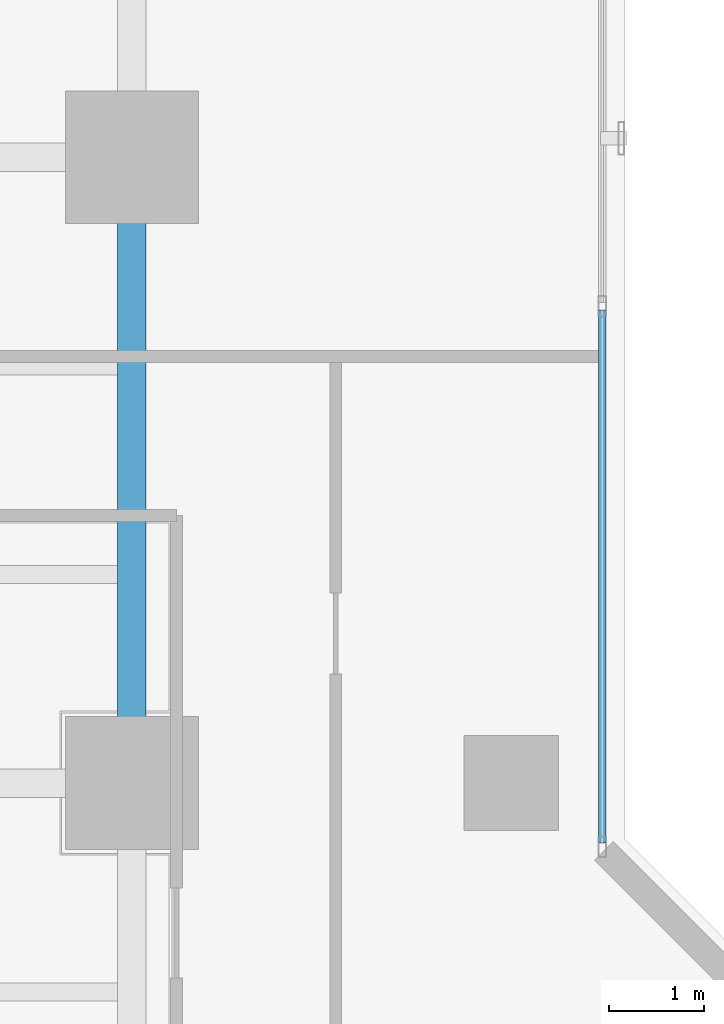
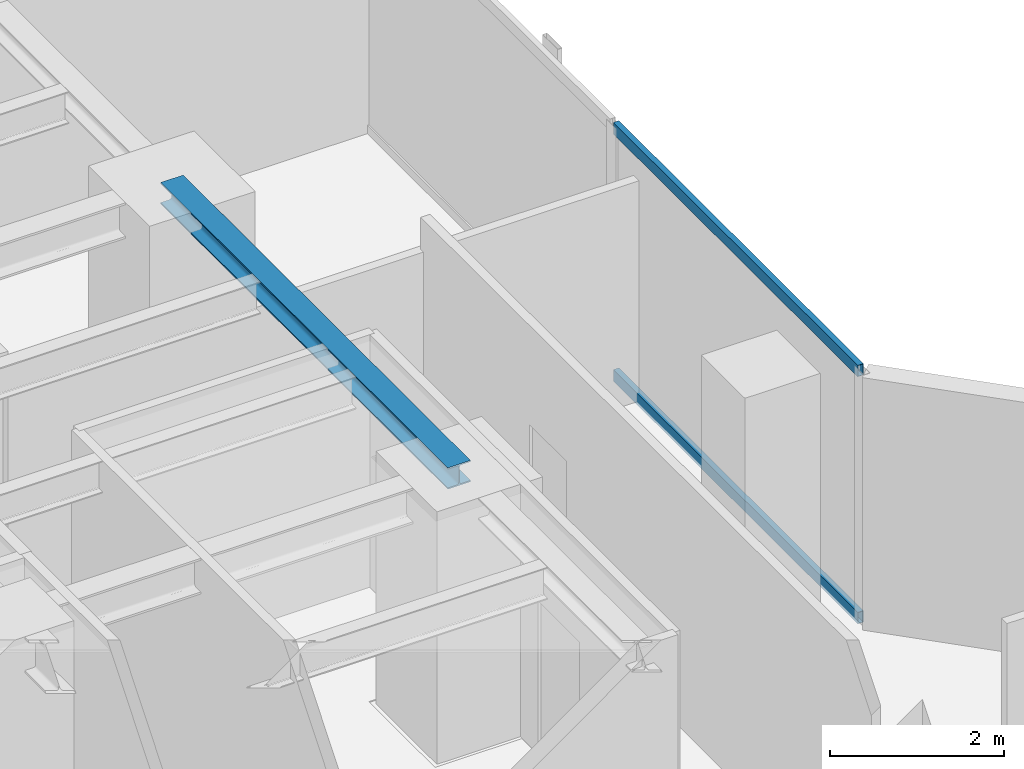
# One storey, part 11 of 28: 2 members, 1 beam, 1 element without a shape of its own.
"""IFC4 building model written with IfcOpenShell, lengths in metres."""

from ifc_helpers import new_model, si_unit, direction, frame, origin, origin_with_axes, origin_2d, place, context, subcontext, project, spatial, hollow_rectangle, i_section, extrude, source, transform, mapped, material, layer, layer_set, material_profile, profile_set, type_object, element, aggregate, save


model = new_model("IFC4")

# Units and contexts
model_context = context("Model", 3, precision=1e-05, world=origin(), true_north=direction((0.0, 1.0)))
body_context = subcontext(model_context, "Body", "Model", "MODEL_VIEW")
ifc_project = project(units=[si_unit("LENGTHUNIT", "METRE"), si_unit("AREAUNIT", "SQUARE_METRE"), si_unit("VOLUMEUNIT", "CUBIC_METRE"), si_unit("PLANEANGLEUNIT", "RADIAN"), si_unit("MASSUNIT", "GRAM", prefix="KILO")], contexts=[model_context])

# Site, building, storey
site_placement = place(None, origin())
site = spatial("IfcSite", under=ifc_project, at=site_placement, CompositionType="ELEMENT")
building_placement = place(site_placement, origin())
building = spatial("IfcBuilding", under=site, at=building_placement, Name="Kolvaren Waterfront Exchange", CompositionType="ELEMENT")
storey_placement = place(building_placement, frame((0.0, 0.0, 114.5)))
storey = spatial("IfcBuildingStorey", under=building, at=storey_placement, Name="L29", CompositionType="ELEMENT", Elevation=114.5)

# Beam
ifc_material_1 = material(Name="Steel S355", Category="steel")
ifc_material_profile_1 = material_profile(ifc_material_1, i_section(OverallWidth=0.300048828125, OverallDepth=0.300048828125, WebThickness=0.010986328125, FlangeThickness=0.01904296875, FilletRadius=0.027099609375, at=origin_2d()), Name="HEB300")
ifc_profile_set_1 = profile_set([ifc_material_profile_1], Name="Steel S355")
beam_type = type_object("IfcBeamType", Name="STR-BM-HEB300", PredefinedType="SPANDREL", material=ifc_profile_set_1)
beam_placement = place(storey_placement, frame((18.800048828125, 31.199951171875, 3.389892578125), z_axis=(0.0, 1.0, 0.0), x_axis=(-1.0, 0.0, 0.0)))
element("IfcBeam", 1, at=beam_placement, inside=storey, type_object=beam_type, Name="L29 north-arm edge beam 2", PredefinedType="SPANDREL", context=body_context, shape_type="SweptSolid", body=[
    extrude(i_section(OverallWidth=0.300048828125, OverallDepth=0.300048828125, WebThickness=0.010986328125, FlangeThickness=0.01904296875, FilletRadius=0.027099609375, at=origin_2d()), origin(), (0.0, 0.0, 1.0), 6.60009765625),
])

# Curtain wall, members
ifc_material_2 = material(Name="Anodised bronze aluminium 6063-T6", Category="aluminium")
ifc_layer = layer(ifc_material_2, 0.219970703125, Name="Anodised bronze aluminium 6063-T6")
ifc_layer_set = layer_set([ifc_layer], Name="Anodised bronze aluminium 6063-T6")
curtain_wall_type = type_object("IfcCurtainWallType", Name="ARC-CW-SYS1", PredefinedType="USERDEFINED", material=ifc_layer_set)
curtain_wall_placement = place(storey_placement, origin())
curtain_wall = element("IfcCurtainWall", 2, at=curtain_wall_placement, inside=storey, type_object=curtain_wall_type, Name="L29 stick curtain wall CW1 (CW-L29-NE)", ObjectType="STICK CURTAIN WALL", PredefinedType="USERDEFINED")
ifc_material_3 = material(Name="Anodised aluminium 6063-T6", Category="aluminium")
ifc_material_profile_2 = material_profile(ifc_material_3, hollow_rectangle(XDim=0.074951171875, YDim=0.159912109375, WallThickness=0.00439453125, at=origin_2d()), Name="ALU-TRN-160x75x4.5")
ifc_profile_set_2 = profile_set([ifc_material_profile_2], Name="Anodised aluminium 6063-T6")
member_type = type_object("IfcMemberType", Name="ARC-CWT-160", PredefinedType="USERDEFINED", material=ifc_profile_set_2)
shared_shape = source(origin_with_axes(), body_context, "Body", "SweptSolid", [
    extrude(hollow_rectangle(XDim=0.074951171875, YDim=0.159912109375, WallThickness=0.00439453125, at=origin_2d()), origin(), (0.0, 0.0, 1.0), 5.61669921875),
])
member_1_placement = place(storey_placement, frame((23.760009765625, 30.570068359375, 0.03759765625), z_axis=(0.0, 1.0, 0.0), x_axis=(-1.0, 0.0, 0.0)))
member_1 = element("IfcMember", 3, at=member_1_placement, type_object=member_type, Name="CW1 transom 1.1", ObjectType="TRANSOM", PredefinedType="USERDEFINED", context=body_context, shape_type="MappedRepresentation", body=[
    mapped(shared_shape, transform((0.0, 0.0, 0.0), x_axis=(1.0, 0.0, 0.0), y_axis=(0.0, 1.0, 0.0), z_axis=(0.0, 0.0, 1.0), scale=1.0)),
])
member_2_placement = place(storey_placement, frame((23.760009765625, 30.570068359375, 3.50244140625), z_axis=(0.0, 1.0, 0.0), x_axis=(-1.0, 0.0, 0.0)))
member_2 = element("IfcMember", 4, at=member_2_placement, type_object=member_type, Name="CW1 transom 1.2", ObjectType="TRANSOM", PredefinedType="USERDEFINED", context=body_context, shape_type="MappedRepresentation", body=[
    mapped(shared_shape, transform((0.0, 0.0, 0.0), x_axis=(1.0, 0.0, 0.0), y_axis=(0.0, 1.0, 0.0), z_axis=(0.0, 0.0, 1.0), scale=1.0)),
])
aggregate(curtain_wall, [member_1, member_2])

save(model, "model.ifc")
